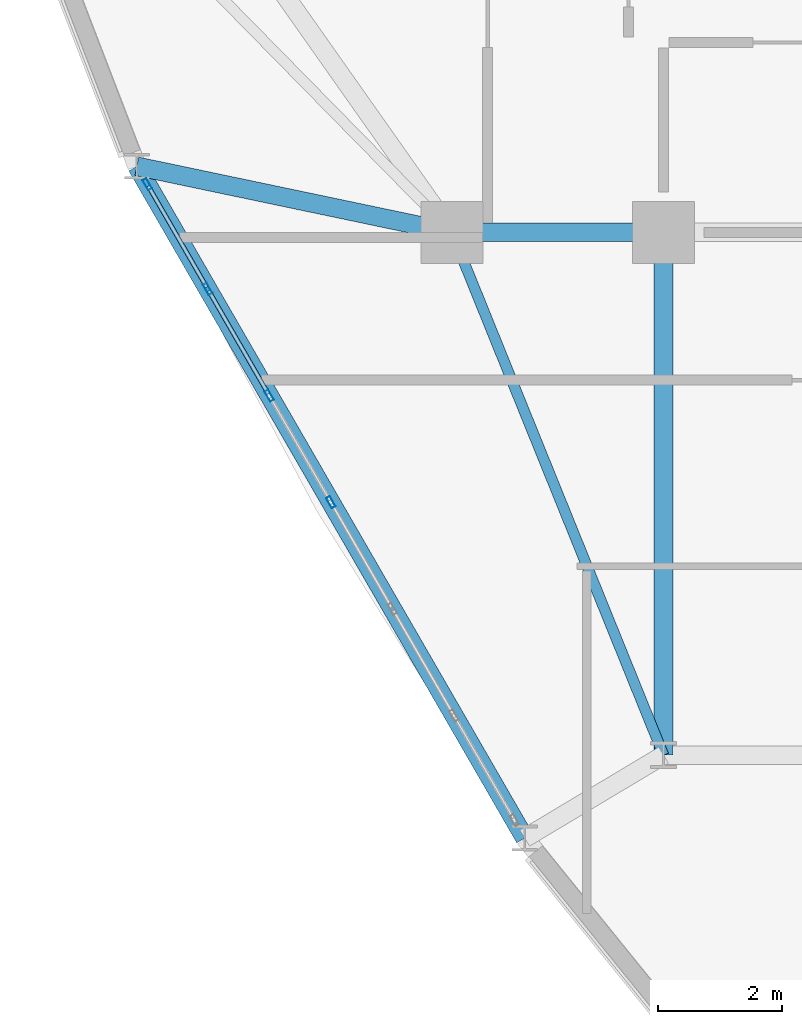
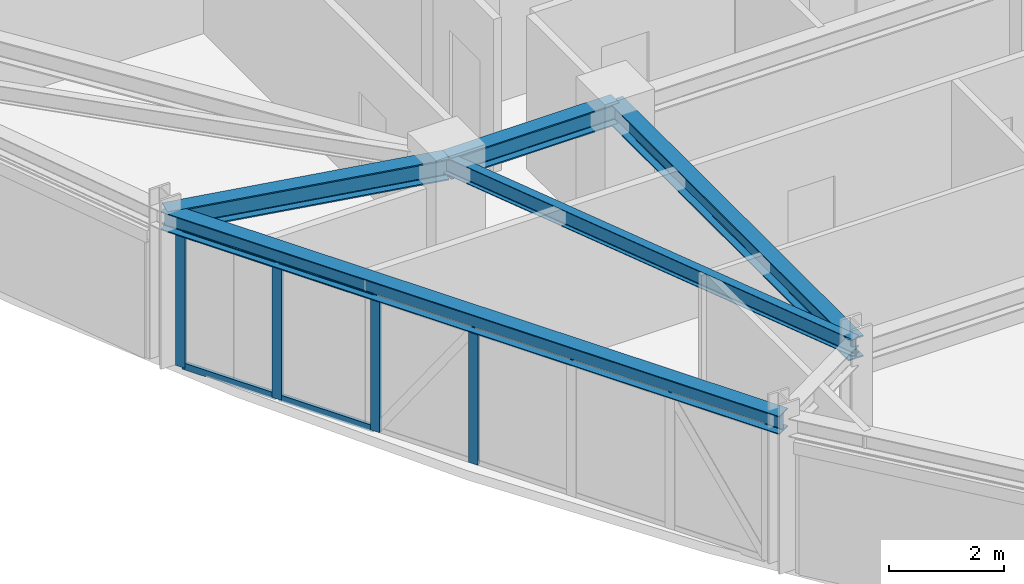
# One storey, part 4 of 14: 8 members, 5 beams, 1 element without a shape of its own.
"""IFC4 building model written with IfcOpenShell, lengths in metres."""

from ifc_helpers import new_model, si_unit, derived_unit, direction, frame, origin, origin_2d, place, context, subcontext, project, spatial, hollow_rectangle, i_section, extrude, source, transform, mapped, material, layer, layer_set, material_profile, profile_set, type_object, element, aggregate, save


model = new_model("IFC4")

# Units and contexts
model_context = context("Model", 3, precision=1e-05, world=origin(), true_north=direction((0.0, 1.0)))
body_context = subcontext(model_context, "Body", "Model", "MODEL_VIEW")
ifc_project = project(units=[si_unit("LENGTHUNIT", "METRE"), si_unit("AREAUNIT", "SQUARE_METRE"), si_unit("VOLUMEUNIT", "CUBIC_METRE"), si_unit("PLANEANGLEUNIT", "RADIAN"), si_unit("MASSUNIT", "GRAM", prefix="KILO"), derived_unit("THERMALTRANSMITTANCEUNIT", [(si_unit("POWERUNIT", "WATT"), 1), (si_unit("LENGTHUNIT", "METRE"), -2), (si_unit("THERMODYNAMICTEMPERATUREUNIT", "KELVIN"), -1)])], contexts=[model_context])

# Site, building, storey
site_placement = place(None, origin())
site = spatial("IfcSite", under=ifc_project, at=site_placement, CompositionType="ELEMENT")
building_placement = place(site_placement, origin())
building = spatial("IfcBuilding", under=site, at=building_placement, Name="Korsvarv Bourse and Concert Hall", CompositionType="ELEMENT")
storey_placement = place(building_placement, frame((0.0, 0.0, 197.39990234375)))
storey = spatial("IfcBuildingStorey", under=building, at=storey_placement, Name="L51", CompositionType="ELEMENT", Elevation=197.39990234375)

# Beams
ifc_material_1 = material(Name="Steel S355", Category="steel")
ifc_material_profile_1 = material_profile(ifc_material_1, i_section(OverallWidth=0.169921875, OverallDepth=0.360107421875, WebThickness=0.008056640625, FlangeThickness=0.0126953125, FilletRadius=0.01806640625, at=origin_2d()), Name="IPE 360")
ifc_profile_set_1 = profile_set([ifc_material_profile_1], Name="Steel S355")
beam_type_1 = type_object("IfcBeamType", Name="BM-IPE360", PredefinedType="JOIST", material=ifc_profile_set_1)
shared_shape_1 = source(origin(), body_context, "Body", "SweptSolid", [
    extrude(i_section(OverallWidth=0.169921875, OverallDepth=0.360107421875, WebThickness=0.008056640625, FlangeThickness=0.0126953125, FilletRadius=0.01806640625, at=origin_2d()), origin(), (0.0, 0.0, 1.0), 9.06201171875),
])
beam_1_placement = place(storey_placement, frame((24.199951171875, 32.39990234375, 3.080078125), z_axis=(0.375210394783, -0.926939674222, 0.0), x_axis=(0.926939674222, 0.375210394783, 0.0)))
element("IfcBeam", 1, at=beam_1_placement, inside=storey, type_object=beam_type_1, Name="L51 beam J-06", PredefinedType="JOIST", context=body_context, shape_type="MappedRepresentation", body=[
    mapped(shared_shape_1, transform((0.0, 0.0, 0.0), scale=1.0)),
])
ifc_material_profile_2 = material_profile(ifc_material_1, i_section(OverallWidth=0.300048828125, OverallDepth=0.449951171875, WebThickness=0.013916015625, FlangeThickness=0.02587890625, FilletRadius=0.02099609375, at=origin_2d()), Name="HEB 450")
ifc_profile_set_2 = profile_set([ifc_material_profile_2], Name="Steel S355")
beam_type_2 = type_object("IfcBeamType", Name="BM-HEB450", PredefinedType="SPANDREL", material=ifc_profile_set_2)
shared_shape_2 = source(origin(), body_context, "Body", "SweptSolid", [
    extrude(i_section(OverallWidth=0.300048828125, OverallDepth=0.449951171875, WebThickness=0.013916015625, FlangeThickness=0.02587890625, FilletRadius=0.02099609375, at=origin_2d()), origin(), (0.0, 0.0, 1.0), 3.400146484375),
])
beam_2_placement = place(storey_placement, frame((24.199951171875, 32.39990234375, 3.03515625), z_axis=(1.0, 0.0, 0.0), x_axis=(0.0, 1.0, 0.0)))
element("IfcBeam", 2, at=beam_2_placement, inside=storey, type_object=beam_type_2, Name="L51 beam B-08", PredefinedType="SPANDREL", context=body_context, shape_type="MappedRepresentation", body=[
    mapped(shared_shape_2, transform((0.0, 0.0, 0.0), scale=1.0)),
])
shared_shape_3 = source(origin(), body_context, "Body", "SweptSolid", [
    extrude(i_section(OverallWidth=0.300048828125, OverallDepth=0.449951171875, WebThickness=0.013916015625, FlangeThickness=0.02587890625, FilletRadius=0.02099609375, at=origin_2d()), origin(), (0.0, 0.0, 1.0), 8.39990234375),
])
beam_3_placement = place(storey_placement, frame((27.60009765625, 24.0, 3.03515625), z_axis=(0.0, 1.0, 0.0), x_axis=(-1.0, 0.0, 0.0)))
element("IfcBeam", 3, at=beam_3_placement, inside=storey, type_object=beam_type_2, Name="L51 beam B-08", PredefinedType="SPANDREL", context=body_context, shape_type="MappedRepresentation", body=[
    mapped(shared_shape_3, transform((0.0, 0.0, 0.0), scale=1.0)),
])
ifc_material_profile_3 = material_profile(ifc_material_1, i_section(OverallWidth=0.300048828125, OverallDepth=0.389892578125, WebThickness=0.010986328125, FlangeThickness=0.01904296875, FilletRadius=0.02099609375, at=origin_2d()), Name="HEA 400")
ifc_profile_set_3 = profile_set([ifc_material_profile_3], Name="Steel S355")
beam_type_3 = type_object("IfcBeamType", Name="BM-HEA400", PredefinedType="BEAM", material=ifc_profile_set_3)
shared_shape_4 = source(origin(), body_context, "Body", "SweptSolid", [
    extrude(i_section(OverallWidth=0.300048828125, OverallDepth=0.389892578125, WebThickness=0.010986328125, FlangeThickness=0.01904296875, FilletRadius=0.02099609375, at=origin_2d()), origin(), (0.0, 0.0, 1.0), 12.46630859375),
])
beam_4_placement = place(storey_placement, frame((19.13818359375, 33.462158203125, 3.065185546875), z_axis=(0.499985219902, -0.86603393691, 0.0), x_axis=(0.86603393691, 0.499985219902, 0.0)))
element("IfcBeam", 4, at=beam_4_placement, inside=storey, type_object=beam_type_3, Name="L51 beam B-11", PredefinedType="BEAM", context=body_context, shape_type="MappedRepresentation", body=[
    mapped(shared_shape_4, transform((0.0, 0.0, 0.0), scale=1.0)),
])
shared_shape_5 = source(origin(), body_context, "Body", "SweptSolid", [
    extrude(i_section(OverallWidth=0.300048828125, OverallDepth=0.449951171875, WebThickness=0.013916015625, FlangeThickness=0.02587890625, FilletRadius=0.02099609375, at=origin_2d()), origin(), (0.0, 0.0, 1.0), 5.172119140625),
])
beam_5_placement = place(storey_placement, frame((19.13818359375, 33.462158203125, 3.03515625), z_axis=(0.978681305513, -0.205384766328, 0.0), x_axis=(0.205384766328, 0.978681305513, 0.0)))
element("IfcBeam", 5, at=beam_5_placement, inside=storey, type_object=beam_type_2, Name="L51 beam B-08", PredefinedType="SPANDREL", context=body_context, shape_type="MappedRepresentation", body=[
    mapped(shared_shape_5, transform((0.0, 0.0, 0.0), scale=1.0)),
])

# Curtain wall, members
ifc_material_2 = material(Name="Anodised aluminium and triple low-E glazing", Category="glass")
ifc_layer = layer(ifc_material_2, 0.199951171875)
ifc_layer_set = layer_set([ifc_layer], Name="Anodised aluminium and triple low-E glazing")
curtain_wall_type = type_object("IfcCurtainWallType", Name="CW-SYS-3", PredefinedType="NOTDEFINED", material=ifc_layer_set)
curtain_wall_placement = place(storey_placement, origin())
curtain_wall = element("IfcCurtainWall", 6, at=curtain_wall_placement, inside=storey, type_object=curtain_wall_type, Name="L51 CW3 curtain wall CW-L51-F07", PredefinedType="NOTDEFINED")
ifc_material_3 = material(Name="Extruded aluminium EN AW-6063 T66", Category="aluminium")
ifc_material_profile_4 = material_profile(ifc_material_3, hollow_rectangle(XDim=0.06494140625, YDim=0.139892578125, WallThickness=0.00390625, at=origin_2d()), Name="ALU-T 65x140")
ifc_profile_set_4 = profile_set([ifc_material_profile_4], Name="Extruded aluminium EN AW-6063 T66")
member_type_1 = type_object("IfcMemberType", Name="CWT-140", PredefinedType="USERDEFINED", material=ifc_profile_set_4)
shared_shape_6 = source(origin(), body_context, "Body", "SweptSolid", [
    extrude(hollow_rectangle(XDim=0.06494140625, YDim=0.139892578125, WallThickness=0.00390625, at=origin_2d()), origin(), (0.0, 0.0, 1.0), 1.908447265625),
])
member_1_placement = place(storey_placement, frame((20.293701171875, 31.46044921875, 0.03271484375), z_axis=(0.500087889681, -0.865974654707, 0.0), x_axis=(0.865974654707, 0.500087889681, 0.0)))
member_1 = element("IfcMember", 7, at=member_1_placement, type_object=member_type_1, Name="CW3 transom 2.1", ObjectType="TRANSOM", PredefinedType="USERDEFINED", context=body_context, shape_type="MappedRepresentation", body=[
    mapped(shared_shape_6, transform((0.0, 0.0, 0.0), scale=1.0)),
])
member_2_placement = place(storey_placement, frame((20.293701171875, 31.46044921875, 2.837646484375), z_axis=(0.500087889681, -0.865974654707, 0.0), x_axis=(0.865974654707, 0.500087889681, 0.0)))
member_2 = element("IfcMember", 8, at=member_2_placement, type_object=member_type_1, Name="CW3 transom 2.2", ObjectType="TRANSOM", PredefinedType="USERDEFINED", context=body_context, shape_type="MappedRepresentation", body=[
    mapped(shared_shape_6, transform((0.0, 0.0, 0.0), scale=1.0)),
])
shared_shape_7 = source(origin(), body_context, "Body", "SweptSolid", [
    extrude(hollow_rectangle(XDim=0.06494140625, YDim=0.139892578125, WallThickness=0.00390625, at=origin_2d()), origin(), (0.0, 0.0, 1.0), 1.873291015625),
])
member_3_placement = place(storey_placement, frame((19.322021484375, 33.1435546875, 0.03271484375), z_axis=(0.500049599607, -0.865996765544, 0.0), x_axis=(0.865996765544, 0.500049599607, 0.0)))
member_3 = element("IfcMember", 9, at=member_3_placement, type_object=member_type_1, Name="CW3 transom 1.1", ObjectType="TRANSOM", PredefinedType="USERDEFINED", context=body_context, shape_type="MappedRepresentation", body=[
    mapped(shared_shape_7, transform((0.0, 0.0, 0.0), scale=1.0)),
])
member_4_placement = place(storey_placement, frame((19.322021484375, 33.1435546875, 2.837646484375), z_axis=(0.500049599607, -0.865996765544, 0.0), x_axis=(0.865996765544, 0.500049599607, 0.0)))
member_4 = element("IfcMember", 10, at=member_4_placement, type_object=member_type_1, Name="CW3 transom 1.2", ObjectType="TRANSOM", PredefinedType="USERDEFINED", context=body_context, shape_type="MappedRepresentation", body=[
    mapped(shared_shape_7, transform((0.0, 0.0, 0.0), scale=1.0)),
])
ifc_material_profile_5 = material_profile(ifc_material_3, hollow_rectangle(XDim=0.070068359375, YDim=0.18994140625, WallThickness=0.0048828125, at=origin_2d()), Name="ALU-M 70x190")
ifc_profile_set_5 = profile_set([ifc_material_profile_5], Name="Extruded aluminium EN AW-6063 T66")
member_type_2 = type_object("IfcMemberType", Name="CWM-190", PredefinedType="MULLION", material=ifc_profile_set_5)
shared_shape_8 = source(origin(), body_context, "Body", "SweptSolid", [
    extrude(hollow_rectangle(XDim=0.070068359375, YDim=0.18994140625, WallThickness=0.0048828125, at=origin_2d()), origin(), (0.0, 0.0, 1.0), 2.8701171875),
])
member_5_placement = place(storey_placement, frame((19.3046875, 33.173828125, 0.0), z_axis=(0.0, 0.0, 1.0), x_axis=(0.866029726531, 0.499992512708, 0.0)))
member_5 = element("IfcMember", 11, at=member_5_placement, type_object=member_type_2, Name="CW3 mullion 1", PredefinedType="MULLION", context=body_context, shape_type="MappedRepresentation", body=[
    mapped(shared_shape_8, transform((0.0, 0.0, 0.0), scale=1.0)),
])
member_6_placement = place(storey_placement, frame((20.2763671875, 31.490966796875, 0.0), z_axis=(0.0, 0.0, 1.0), x_axis=(0.866029726531, 0.499992512708, 0.0)))
member_6 = element("IfcMember", 12, at=member_6_placement, type_object=member_type_2, Name="CW3 mullion 2", PredefinedType="MULLION", context=body_context, shape_type="MappedRepresentation", body=[
    mapped(shared_shape_8, transform((0.0, 0.0, 0.0), scale=1.0)),
])
member_7_placement = place(storey_placement, frame((21.265380859375, 29.777587890625, 0.0), z_axis=(0.0, 0.0, 1.0), x_axis=(0.866029726531, 0.499992512708, 0.0)))
member_7 = element("IfcMember", 13, at=member_7_placement, type_object=member_type_2, Name="CW3 mullion 3", PredefinedType="MULLION", context=body_context, shape_type="MappedRepresentation", body=[
    mapped(shared_shape_8, transform((0.0, 0.0, 0.0), scale=1.0)),
])
member_8_placement = place(storey_placement, frame((22.254638671875, 28.064208984375, 0.0), z_axis=(0.0, 0.0, 1.0), x_axis=(0.866029726531, 0.499992512708, 0.0)))
member_8 = element("IfcMember", 14, at=member_8_placement, type_object=member_type_2, Name="CW3 mullion 4", PredefinedType="MULLION", context=body_context, shape_type="MappedRepresentation", body=[
    mapped(shared_shape_8, transform((0.0, 0.0, 0.0), scale=1.0)),
])
aggregate(curtain_wall, [member_5, member_6, member_7, member_8, member_3, member_4, member_1, member_2])

save(model, "model.ifc")
